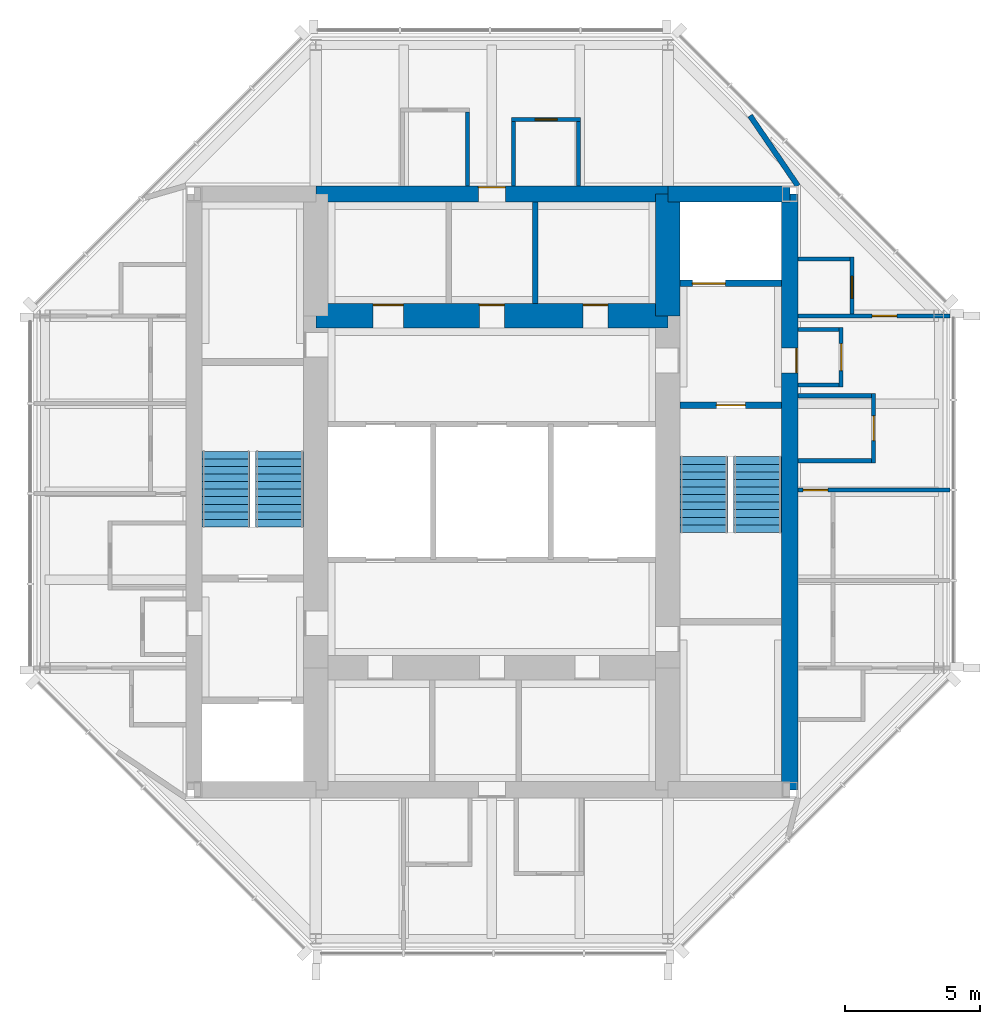
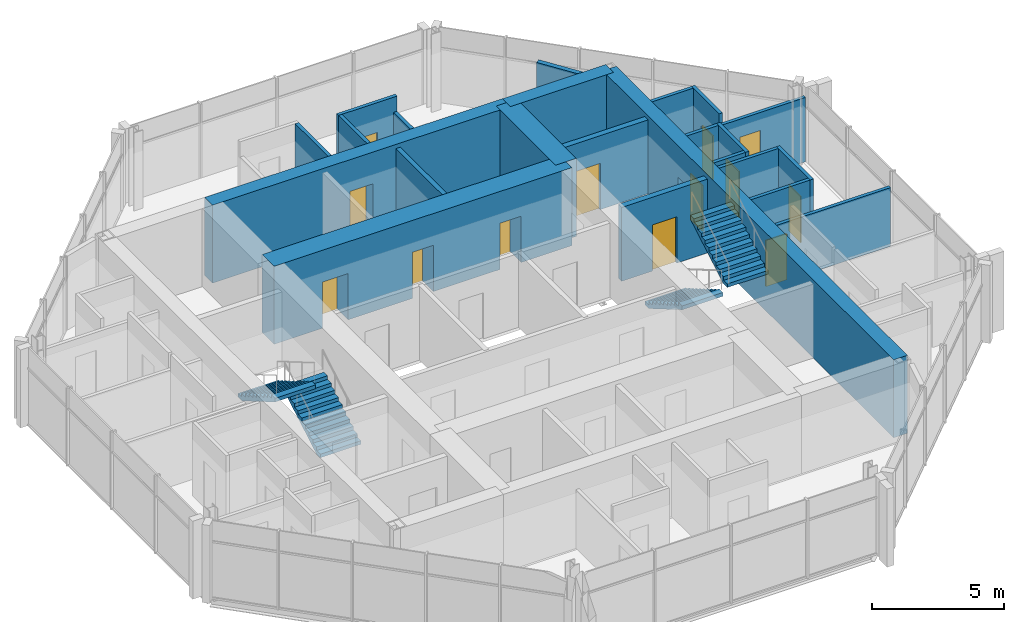
# One storey, part 7 of 9: 23 walls, 13 doors, 4 stair flights, 13 openings, 2 elements without a shape of their own.
"""IFC4 building model written with IfcOpenShell, lengths in metres."""

from ifc_helpers import new_model, si_unit, direction, frame, frame_2d, origin, place, context, subcontext, project, spatial, polyline, rectangle, outline, extrude, material, layer, layer_set, type_object, element, fill, aggregate, save


model = new_model("IFC4")

# Units and contexts
model_context = context("Model", 3, precision=1e-05, world=origin(), true_north=direction((0.0, 1.0)))
body_context = subcontext(model_context, "Body", "Model", "MODEL_VIEW")
ifc_project = project(units=[si_unit("LENGTHUNIT", "METRE"), si_unit("AREAUNIT", "SQUARE_METRE"), si_unit("VOLUMEUNIT", "CUBIC_METRE"), si_unit("PLANEANGLEUNIT", "RADIAN"), si_unit("MASSUNIT", "GRAM", prefix="KILO")], contexts=[model_context])

# Site, building, storey
site_placement = place(None, origin())
site = spatial("IfcSite", under=ifc_project, at=site_placement, CompositionType="ELEMENT")
building_placement = place(site_placement, origin())
building = spatial("IfcBuilding", under=site, at=building_placement, Name="Trevanion Tower", CompositionType="ELEMENT")
storey_placement = place(building_placement, frame((0.0, 0.0, 295.60009765625)))
storey = spatial("IfcBuildingStorey", under=building, at=storey_placement, Name="L73", CompositionType="ELEMENT", Elevation=295.60009765625)

# Wall, opening, door
ifc_material_1 = material(Name="Concrete 10,000 psi", Category="concrete")
ifc_layer_1 = layer(ifc_material_1, 0.60009765625)
ifc_layer_set_1 = layer_set([ifc_layer_1], Name="CW1 core wall 600")
wall_type_1 = type_object("IfcWallType", Name="CW1 core wall 600", PredefinedType="SHEAR", material=ifc_layer_set_1)
wall_1_placement = place(storey_placement, frame((11.0, -11.0, 0.0), z_axis=(0.0, 0.0, 1.0), x_axis=(0.0, 1.0, 0.0)))
wall_1 = element("IfcWall", 1, at=wall_1_placement, inside=storey, type_object=wall_type_1, Name="CW1 CE L73", PredefinedType="SHEAR", context=body_context, shape_type="SweptSolid", body=[
    extrude(rectangle(XDim=22.0, YDim=0.60009765625, at=frame_2d((11.0, 0.0))), origin(), (0.0, 0.0, 1.0), 3.599853515625),
])
opening_1_placement = place(wall_1_placement, frame((15.392578125, 0.0, 0.0)))
opening_1 = element("IfcOpeningElement", 2, at=opening_1_placement, cuts=wall_1, Name="Opening 73-001", PredefinedType="OPENING", context=body_context, shape_type="SweptSolid", body=[
    extrude(rectangle(XDim=0.9150390625, YDim=2.134033203125, at=frame_2d((0.45751953125, 1.06689453125))), frame((0.0, 0.31005859375, 0.0), z_axis=(0.0, -1.0, 0.0), x_axis=(1.0, 0.0, 0.0)), (0.0, 0.0, 1.0), 0.6201171875),
])
ifc_material_2 = material(Name="Hollow metal, fire rated", Category="steel")
door_type_1 = type_object("IfcDoorType", Name="D3 fire lift lobby door", OperationType="SINGLE_SWING_RIGHT", PredefinedType="DOOR", material=ifc_material_2)
door_1_placement = place(opening_1_placement, origin())
door_1 = element("IfcDoor", 3, at=door_1_placement, inside=storey, type_object=door_type_1, Name="Door 73-001", OperationType="SINGLE_SWING_RIGHT", OverallHeight=2.134033203125, OverallWidth=0.9150390625, PredefinedType="DOOR", context=body_context, shape_type="SweptSolid", body=[
    extrude(rectangle(XDim=0.9150390625, YDim=2.134033203125, at=frame_2d((0.45751953125, 1.06689453125))), frame((0.0, -0.22509765625, 0.0), z_axis=(0.0, -1.0, 0.0), x_axis=(1.0, 0.0, 0.0)), (0.0, 0.0, 1.0), 0.050048828125),
])
fill(opening_1, door_1)

# Wall
wall_2_placement = place(storey_placement, frame((11.0, 11.0, 0.0), z_axis=(0.0, 0.0, 1.0), x_axis=(-1.0, 0.0, 0.0)))
element("IfcWall", 4, at=wall_2_placement, inside=storey, type_object=wall_type_1, Name="CW1 CN1 L73", PredefinedType="SHEAR", context=body_context, shape_type="SweptSolid", body=[
    extrude(rectangle(XDim=4.5, YDim=0.60009765625, at=frame_2d((2.25, 0.0))), origin(), (0.0, 0.0, 1.0), 3.599853515625),
])

# Wall, opening, door
wall_3_placement = place(storey_placement, frame((6.5, 11.0, 0.0), z_axis=(0.0, 0.0, 1.0), x_axis=(-1.0, 0.0, 0.0)))
wall_3 = element("IfcWall", 5, at=wall_3_placement, inside=storey, type_object=wall_type_1, Name="CW1 CN2 L73", PredefinedType="SHEAR", context=body_context, shape_type="SweptSolid", body=[
    extrude(rectangle(XDim=13.0, YDim=0.60009765625, at=frame_2d((6.5, 0.0))), origin(), (0.0, 0.0, 1.0), 3.599853515625),
])
opening_2_placement = place(wall_3_placement, frame((6.0, 0.0, 0.0)))
opening_2 = element("IfcOpeningElement", 6, at=opening_2_placement, cuts=wall_3, Name="Opening 73-018", PredefinedType="OPENING", context=body_context, shape_type="SweptSolid", body=[
    extrude(rectangle(XDim=1.0, YDim=2.134033203125, at=frame_2d((0.5, 1.06689453125))), frame((0.0, 0.31005859375, 0.0), z_axis=(0.0, -1.0, 0.0), x_axis=(1.0, 0.0, 0.0)), (0.0, 0.0, 1.0), 0.6201171875),
])
ifc_material_3 = material(Name="Timber veneer on steel frame, fire rated", Category="steel")
door_type_2 = type_object("IfcDoorType", Name="D13 residence entrance door", OperationType="SINGLE_SWING_RIGHT", PredefinedType="DOOR", material=ifc_material_3)
door_2_placement = place(opening_2_placement, origin())
door_2 = element("IfcDoor", 7, at=door_2_placement, inside=storey, type_object=door_type_2, Name="Door 73-018", OperationType="SINGLE_SWING_RIGHT", OverallHeight=2.134033203125, OverallWidth=1.0, PredefinedType="DOOR", context=body_context, shape_type="SweptSolid", body=[
    extrude(rectangle(XDim=1.0, YDim=2.134033203125, at=frame_2d((0.5, 1.06689453125))), frame((0.0, -0.22509765625, 0.0), z_axis=(0.0, -1.0, 0.0), x_axis=(1.0, 0.0, 0.0)), (0.0, 0.0, 1.0), 0.050048828125),
])
fill(opening_2, door_2)

# Wall
ifc_material_4 = material(Name="Concrete 10,000 psi", Category="concrete")
ifc_layer_2 = layer(ifc_material_4, 0.89990234375)
ifc_layer_set_2 = layer_set([ifc_layer_2], Name="CW2 core wall 900")
wall_type_2 = type_object("IfcWallType", Name="CW2 core wall 900", PredefinedType="SHEAR", material=ifc_layer_set_2)
wall_4_placement = place(storey_placement, frame((6.5, 6.5, 0.0), z_axis=(0.0, 0.0, 1.0), x_axis=(0.0, 1.0, 0.0)))
element("IfcWall", 8, at=wall_4_placement, inside=storey, type_object=wall_type_2, Name="CW2 RE3 L73", PredefinedType="SHEAR", context=body_context, shape_type="SweptSolid", body=[
    extrude(rectangle(XDim=4.5, YDim=0.89990234375, at=frame_2d((2.25, 0.0))), origin(), (0.0, 0.0, 1.0), 3.599853515625),
])

# Wall, openings, doors
wall_5_placement = place(storey_placement, frame((6.5, 6.5, 0.0), z_axis=(0.0, 0.0, 1.0), x_axis=(-1.0, 0.0, 0.0)))
wall_5 = element("IfcWall", 9, at=wall_5_placement, inside=storey, type_object=wall_type_2, Name="CW2 RN L73", PredefinedType="SHEAR", context=body_context, shape_type="SweptSolid", body=[
    extrude(rectangle(XDim=13.0, YDim=0.89990234375, at=frame_2d((6.5, 0.0))), origin(), (0.0, 0.0, 1.0), 3.599853515625),
])
opening_3_placement = place(wall_5_placement, frame((6.04248046875, 0.0, 0.0)))
opening_3 = element("IfcOpeningElement", 10, at=opening_3_placement, cuts=wall_5, Name="Opening 73-017", PredefinedType="OPENING", context=body_context, shape_type="SweptSolid", body=[
    extrude(rectangle(XDim=0.9150390625, YDim=2.134033203125, at=frame_2d((0.45751953125, 1.06689453125))), frame((0.0, 0.4599609375, 0.0), z_axis=(0.0, -1.0, 0.0), x_axis=(1.0, 0.0, 0.0)), (0.0, 0.0, 1.0), 0.919921875),
])
opening_4_placement = place(wall_5_placement, frame((9.76611328125, 0.0, 0.0)))
opening_4 = element("IfcOpeningElement", 11, at=opening_4_placement, cuts=wall_5, Name="Opening 73-019", PredefinedType="OPENING", context=body_context, shape_type="SweptSolid", body=[
    extrude(rectangle(XDim=1.117919921875, YDim=2.134033203125, at=frame_2d((0.55908203125, 1.06689453125))), frame((0.0, 0.4599609375, 0.0), z_axis=(0.0, -1.0, 0.0), x_axis=(1.0, 0.0, 0.0)), (0.0, 0.0, 1.0), 0.919921875),
])
opening_5_placement = place(wall_5_placement, frame((2.217529296875, 0.0, 0.0)))
opening_5 = element("IfcOpeningElement", 12, at=opening_5_placement, cuts=wall_5, Name="Opening 73-020", PredefinedType="OPENING", context=body_context, shape_type="SweptSolid", body=[
    extrude(rectangle(XDim=0.9150390625, YDim=2.134033203125, at=frame_2d((0.45751953125, 1.06689453125))), frame((0.0, 0.4599609375, 0.0), z_axis=(0.0, -1.0, 0.0), x_axis=(1.0, 0.0, 0.0)), (0.0, 0.0, 1.0), 0.919921875),
])
ifc_material_5 = material(Name="Hollow metal, fire rated", Category="steel")
door_type_3 = type_object("IfcDoorType", Name="D16 refuse room door", OperationType="SINGLE_SWING_RIGHT", PredefinedType="DOOR", material=ifc_material_5)
door_3_placement = place(opening_4_placement, origin())
door_3 = element("IfcDoor", 13, at=door_3_placement, inside=storey, type_object=door_type_3, Name="Door 73-019", OperationType="SINGLE_SWING_RIGHT", OverallHeight=2.134033203125, OverallWidth=1.117919921875, PredefinedType="DOOR", context=body_context, shape_type="SweptSolid", body=[
    extrude(rectangle(XDim=1.117919921875, YDim=2.134033203125, at=frame_2d((0.55908203125, 1.06689453125))), frame((0.0, -0.375, 0.0), z_axis=(0.0, -1.0, 0.0), x_axis=(1.0, 0.0, 0.0)), (0.0, 0.0, 1.0), 0.050048828125),
])
fill(opening_4, door_3)
door_4_placement = place(opening_3_placement, origin())
door_4 = element("IfcDoor", 14, at=door_4_placement, inside=storey, type_object=door_type_1, Name="Door 73-017", OperationType="SINGLE_SWING_RIGHT", OverallHeight=2.134033203125, OverallWidth=0.9150390625, PredefinedType="DOOR", context=body_context, shape_type="SweptSolid", body=[
    extrude(rectangle(XDim=0.9150390625, YDim=2.134033203125, at=frame_2d((0.45751953125, 1.06689453125))), frame((0.0, -0.375, 0.0), z_axis=(0.0, -1.0, 0.0), x_axis=(1.0, 0.0, 0.0)), (0.0, 0.0, 1.0), 0.050048828125),
])
fill(opening_3, door_4)
ifc_material_6 = material(Name="Hollow metal, fire rated", Category="steel")
door_type_4 = type_object("IfcDoorType", Name="D5 service room door", OperationType="SINGLE_SWING_RIGHT", PredefinedType="DOOR", material=ifc_material_6)
door_5_placement = place(opening_5_placement, origin())
door_5 = element("IfcDoor", 15, at=door_5_placement, inside=storey, type_object=door_type_4, Name="Door 73-020", OperationType="SINGLE_SWING_RIGHT", OverallHeight=2.134033203125, OverallWidth=0.9150390625, PredefinedType="DOOR", context=body_context, shape_type="SweptSolid", body=[
    extrude(rectangle(XDim=0.9150390625, YDim=2.134033203125, at=frame_2d((0.45751953125, 1.06689453125))), frame((0.0, -0.375, 0.0), z_axis=(0.0, -1.0, 0.0), x_axis=(1.0, 0.0, 0.0)), (0.0, 0.0, 1.0), 0.050048828125),
])
fill(opening_5, door_5)

# Wall, opening, door
ifc_material_7 = material(Name="Gypsum board on steel studs", Category="steel")
ifc_layer_3 = layer(ifc_material_7, 0.14990234375)
ifc_layer_set_3 = layer_set([ifc_layer_3], Name="PT1 partition 150")
wall_type_3 = type_object("IfcWallType", Name="PT1 partition 150", PredefinedType="PARTITIONING", material=ifc_layer_set_3)
wall_6_placement = place(storey_placement, frame((11.300048828125, 0.06494140625, 0.0), z_axis=(0.0, 0.0, 1.0), x_axis=(1.0, 0.0, 0.0)))
wall_6 = element("IfcWall", 16, at=wall_6_placement, inside=storey, type_object=wall_type_3, Name="PT1 L73 REC2", PredefinedType="PARTITIONING", context=body_context, shape_type="SweptSolid", body=[
    extrude(rectangle(XDim=5.614990234375, YDim=0.14990234375, at=frame_2d((2.8076171875, 0.0))), origin(), (0.0, 0.0, 1.0), 2.708984375),
])
opening_6_placement = place(wall_6_placement, frame((0.1923828125, 0.0, 0.0)))
opening_6 = element("IfcOpeningElement", 17, at=opening_6_placement, cuts=wall_6, Name="Opening 73-030", PredefinedType="OPENING", context=body_context, shape_type="SweptSolid", body=[
    extrude(rectangle(XDim=0.9150390625, YDim=2.134033203125, at=frame_2d((0.45751953125, 1.06689453125))), frame((0.0, 0.0849609375, 0.0), z_axis=(0.0, -1.0, 0.0), x_axis=(1.0, 0.0, 0.0)), (0.0, 0.0, 1.0), 0.169921875),
])
ifc_material_8 = material(Name="Timber veneer, solid core", Category="wood")
door_type_5 = type_object("IfcDoorType", Name="D1 office and meeting room door", OperationType="SINGLE_SWING_LEFT", PredefinedType="DOOR", material=ifc_material_8)
door_6_placement = place(opening_6_placement, origin())
door_6 = element("IfcDoor", 18, at=door_6_placement, inside=storey, type_object=door_type_5, Name="Door 73-030", OperationType="SINGLE_SWING_LEFT", OverallHeight=2.134033203125, OverallWidth=0.9150390625, PredefinedType="DOOR", context=body_context, shape_type="SweptSolid", body=[
    extrude(rectangle(XDim=0.9150390625, YDim=2.134033203125, at=frame_2d((0.45751953125, 1.06689453125))), frame((0.0, 0.02490234375, 0.0), z_axis=(0.0, -1.0, 0.0), x_axis=(1.0, 0.0, 0.0)), (0.0, 0.0, 1.0), 0.050048828125),
])
fill(opening_6, door_6)

wall_7_placement = place(storey_placement, frame((11.300048828125, 6.5, 0.0), z_axis=(0.0, 0.0, 1.0), x_axis=(1.0, 0.0, 0.0)))
wall_7 = element("IfcWall", 19, at=wall_7_placement, inside=storey, type_object=wall_type_3, Name="PT1 L73 REC3", PredefinedType="PARTITIONING", context=body_context, shape_type="SweptSolid", body=[
    extrude(rectangle(XDim=5.614990234375, YDim=0.14990234375, at=frame_2d((2.8076171875, 0.0))), origin(), (0.0, 0.0, 1.0), 2.965576171875),
])
opening_7_placement = place(wall_7_placement, frame((2.742431640625, 0.0, 0.0)))
opening_7 = element("IfcOpeningElement", 20, at=opening_7_placement, cuts=wall_7, Name="Opening 73-033", PredefinedType="OPENING", context=body_context, shape_type="SweptSolid", body=[
    extrude(rectangle(XDim=0.9150390625, YDim=2.134033203125, at=frame_2d((0.45751953125, 1.06689453125))), frame((0.0, 0.0849609375, 0.0), z_axis=(0.0, -1.0, 0.0), x_axis=(1.0, 0.0, 0.0)), (0.0, 0.0, 1.0), 0.169921875),
])
door_7_placement = place(opening_7_placement, origin())
door_7 = element("IfcDoor", 21, at=door_7_placement, inside=storey, type_object=door_type_5, Name="Door 73-033", OperationType="SINGLE_SWING_LEFT", OverallHeight=2.134033203125, OverallWidth=0.9150390625, PredefinedType="DOOR", context=body_context, shape_type="SweptSolid", body=[
    extrude(rectangle(XDim=0.9150390625, YDim=2.134033203125, at=frame_2d((0.45751953125, 1.06689453125))), frame((0.0, 0.02490234375, 0.0), z_axis=(0.0, -1.0, 0.0), x_axis=(1.0, 0.0, 0.0)), (0.0, 0.0, 1.0), 0.050048828125),
])
fill(opening_7, door_7)

# Walls
for number, where, z_axis, x_axis, name in (
    (22, (11.300048828125, 3.949951171875, 0.0), (0.0, 0.0, 1.0), (1.0, 0.0, 0.0), "PT1 L73 REEA"),
    (23, (11.300048828125, 6.0, 0.0), (0.0, 0.0, 1.0), (1.0, 0.0, 0.0), "PT1 L73 REEB"),
):
    element("IfcWall", number, at=place(storey_placement, frame(where, z_axis=z_axis, x_axis=x_axis)), inside=storey, type_object=wall_type_3, Name=name, PredefinedType="PARTITIONING", context=body_context, shape_type="SweptSolid", body=[
        extrude(rectangle(XDim=1.52490234375, YDim=0.14990234375, at=frame_2d((0.762451171875, 0.0))), origin(), (0.0, 0.0, 1.0), 3.409912109375),
    ])

# Wall, opening, door
wall_8_placement = place(storey_placement, frame((14.10009765625, 1.074951171875, 0.0), z_axis=(0.0, 0.0, 1.0), x_axis=(0.0, 1.0, 0.0)))
wall_8 = element("IfcWall", 24, at=wall_8_placement, inside=storey, type_object=wall_type_3, Name="PT1 L73 REKF", PredefinedType="PARTITIONING", context=body_context, shape_type="SweptSolid", body=[
    extrude(rectangle(XDim=2.550048828125, YDim=0.14990234375, at=frame_2d((1.27490234375, 0.0))), origin(), (0.0, 0.0, 1.0), 3.409912109375),
])
opening_8_placement = place(wall_8_placement, frame((0.8173828125, 0.0, 0.0)))
opening_8 = element("IfcOpeningElement", 25, at=opening_8_placement, cuts=wall_8, Name="Opening 73-026", PredefinedType="OPENING", context=body_context, shape_type="SweptSolid", body=[
    extrude(rectangle(XDim=0.9150390625, YDim=2.134033203125, at=frame_2d((0.45751953125, 1.06689453125))), frame((0.0, 0.0849609375, 0.0), z_axis=(0.0, -1.0, 0.0), x_axis=(1.0, 0.0, 0.0)), (0.0, 0.0, 1.0), 0.169921875),
])
door_8_placement = place(opening_8_placement, origin())
door_8 = element("IfcDoor", 26, at=door_8_placement, inside=storey, type_object=door_type_5, Name="Door 73-026", OperationType="SINGLE_SWING_LEFT", OverallHeight=2.134033203125, OverallWidth=0.9150390625, PredefinedType="DOOR", context=body_context, shape_type="SweptSolid", body=[
    extrude(rectangle(XDim=0.9150390625, YDim=2.134033203125, at=frame_2d((0.45751953125, 1.06689453125))), frame((0.0, 0.02490234375, 0.0), z_axis=(0.0, -1.0, 0.0), x_axis=(1.0, 0.0, 0.0)), (0.0, 0.0, 1.0), 0.050048828125),
])
fill(opening_8, door_8)

# Walls
for number, where, z_axis, x_axis, name in (
    (27, (11.300048828125, 1.14990234375, 0.0), (0.0, 0.0, 1.0), (1.0, 0.0, 0.0), "PT1 L73 REKA"),
    (28, (11.300048828125, 3.550048828125, 0.0), (0.0, 0.0, 1.0), (1.0, 0.0, 0.0), "PT1 L73 REKB"),
):
    element("IfcWall", number, at=place(storey_placement, frame(where, z_axis=z_axis, x_axis=x_axis)), inside=storey, type_object=wall_type_3, Name=name, PredefinedType="PARTITIONING", context=body_context, shape_type="SweptSolid", body=[
        extrude(rectangle(XDim=2.724853515625, YDim=0.14990234375, at=frame_2d((1.3623046875, 0.0))), origin(), (0.0, 0.0, 1.0), 3.409912109375),
    ])

# Wall, opening, door
wall_9_placement = place(storey_placement, frame((13.300048828125, 6.574951171875, 0.0), z_axis=(0.0, 0.0, 1.0), x_axis=(0.0, 1.0, 0.0)))
wall_9 = element("IfcWall", 29, at=wall_9_placement, inside=storey, type_object=wall_type_3, Name="PT1 L73 REWF", PredefinedType="PARTITIONING", context=body_context, shape_type="SweptSolid", body=[
    extrude(rectangle(XDim=2.10009765625, YDim=0.14990234375, at=frame_2d((1.050048828125, 0.0))), origin(), (0.0, 0.0, 1.0), 3.409912109375),
])
opening_9_placement = place(wall_9_placement, frame((0.568603515625, 0.0, 0.0)))
opening_9 = element("IfcOpeningElement", 30, at=opening_9_placement, cuts=wall_9, Name="Opening 73-027", PredefinedType="OPENING", context=body_context, shape_type="SweptSolid", body=[
    extrude(rectangle(XDim=0.81298828125, YDim=2.031982421875, at=frame_2d((0.406494140625, 1.01611328125))), frame((0.0, 0.0849609375, 0.0), z_axis=(0.0, -1.0, 0.0), x_axis=(1.0, 0.0, 0.0)), (0.0, 0.0, 1.0), 0.169921875),
])
ifc_material_9 = material(Name="Timber veneer", Category="wood")
door_type_6 = type_object("IfcDoorType", Name="D14 residence bathroom door", OperationType="SINGLE_SWING_LEFT", PredefinedType="DOOR", material=ifc_material_9)
door_9_placement = place(opening_9_placement, origin())
door_9 = element("IfcDoor", 31, at=door_9_placement, inside=storey, type_object=door_type_6, Name="Door 73-027", OperationType="SINGLE_SWING_LEFT", OverallHeight=2.031982421875, OverallWidth=0.81298828125, PredefinedType="DOOR", context=body_context, shape_type="SweptSolid", body=[
    extrude(rectangle(XDim=0.81298828125, YDim=2.031982421875, at=frame_2d((0.406494140625, 1.01611328125))), frame((0.0, 0.02490234375, 0.0), z_axis=(0.0, -1.0, 0.0), x_axis=(1.0, 0.0, 0.0)), (0.0, 0.0, 1.0), 0.050048828125),
])
fill(opening_9, door_9)

# Walls
wall_10_placement = place(storey_placement, frame((11.300048828125, 8.60009765625, 0.0), z_axis=(0.0, 0.0, 1.0), x_axis=(1.0, 0.0, 0.0)))
element("IfcWall", 32, at=wall_10_placement, inside=storey, type_object=wall_type_3, Name="PT1 L73 REWB", PredefinedType="PARTITIONING", context=body_context, shape_type="SweptSolid", body=[
    extrude(rectangle(XDim=1.925048828125, YDim=0.14990234375, at=frame_2d((0.96240234375, 0.0))), origin(), (0.0, 0.0, 1.0), 3.409912109375),
])
wall_11_placement = place(storey_placement, frame((-0.89990234375, 11.300048828125, 0.0), z_axis=(0.0, 0.0, 1.0), x_axis=(0.0, 1.0, 0.0)))
element("IfcWall", 33, at=wall_11_placement, inside=storey, type_object=wall_type_3, Name="PT1 L73 RNKA", PredefinedType="PARTITIONING", context=body_context, shape_type="SweptSolid", body=[
    extrude(rectangle(XDim=2.724853515625, YDim=0.14990234375, at=frame_2d((1.3623046875, 0.0))), origin(), (0.0, 0.0, 1.0), 3.409912109375),
])

# Wall, opening, door
wall_12_placement = place(storey_placement, frame((3.27490234375, 13.75, 0.0), z_axis=(0.0, 0.0, 1.0), x_axis=(-1.0, 0.0, 0.0)))
wall_12 = element("IfcWall", 34, at=wall_12_placement, inside=storey, type_object=wall_type_3, Name="PT1 L73 RNTF", PredefinedType="PARTITIONING", context=body_context, shape_type="SweptSolid", body=[
    extrude(rectangle(XDim=2.5498046875, YDim=0.14990234375, at=frame_2d((1.27490234375, 0.0))), origin(), (0.0, 0.0, 1.0), 3.409912109375),
])
opening_10_placement = place(wall_12_placement, frame((0.868408203125, 0.0, 0.0)))
opening_10 = element("IfcOpeningElement", 35, at=opening_10_placement, cuts=wall_12, Name="Opening 73-035", PredefinedType="OPENING", context=body_context, shape_type="SweptSolid", body=[
    extrude(rectangle(XDim=0.81298828125, YDim=2.031982421875, at=frame_2d((0.406494140625, 1.01611328125))), frame((0.0, 0.0849609375, 0.0), z_axis=(0.0, -1.0, 0.0), x_axis=(1.0, 0.0, 0.0)), (0.0, 0.0, 1.0), 0.169921875),
])
door_10_placement = place(opening_10_placement, origin())
door_10 = element("IfcDoor", 36, at=door_10_placement, inside=storey, type_object=door_type_6, Name="Door 73-035", OperationType="SINGLE_SWING_LEFT", OverallHeight=2.031982421875, OverallWidth=0.81298828125, PredefinedType="DOOR", context=body_context, shape_type="SweptSolid", body=[
    extrude(rectangle(XDim=0.81298828125, YDim=2.031982421875, at=frame_2d((0.406494140625, 1.01611328125))), frame((0.0, 0.02490234375, 0.0), z_axis=(0.0, -1.0, 0.0), x_axis=(1.0, 0.0, 0.0)), (0.0, 0.0, 1.0), 0.050048828125),
])
fill(opening_10, door_10)

# Walls
wall_13_placement = place(storey_placement, frame((3.199951171875, 11.300048828125, 0.0), z_axis=(0.0, 0.0, 1.0), x_axis=(0.0, 1.0, 0.0)))
element("IfcWall", 37, at=wall_13_placement, inside=storey, type_object=wall_type_3, Name="PT1 L73 RNTA", PredefinedType="PARTITIONING", context=body_context, shape_type="SweptSolid", body=[
    extrude(rectangle(XDim=2.375, YDim=0.14990234375, at=frame_2d((1.1875, 0.0))), origin(), (0.0, 0.0, 1.0), 2.708984375),
])
wall_14_placement = place(storey_placement, frame((0.800048828125, 11.300048828125, 0.0), z_axis=(0.0, 0.0, 1.0), x_axis=(0.0, 1.0, 0.0)))
element("IfcWall", 38, at=wall_14_placement, inside=storey, type_object=wall_type_3, Name="PT1 L73 RNTB", PredefinedType="PARTITIONING", context=body_context, shape_type="SweptSolid", body=[
    extrude(rectangle(XDim=2.375, YDim=0.14990234375, at=frame_2d((1.1875, 0.0))), origin(), (0.0, 0.0, 1.0), 3.409912109375),
])

# Wall, opening, door
ifc_material_10 = material(Name="Gypsum board on steel studs", Category="steel")
ifc_layer_4 = layer(ifc_material_10, 0.14990234375)
ifc_layer_set_4 = layer_set([ifc_layer_4], Name="PT1 partition 150 1 HR")
wall_type_4 = type_object("IfcWallType", Name="PT1 partition 150 1 HR", PredefinedType="PARTITIONING", material=ifc_layer_set_4)
wall_15_placement = place(storey_placement, frame((12.89990234375, 3.875, 0.0), z_axis=(0.0, 0.0, 1.0), x_axis=(0.0, 1.0, 0.0)))
wall_15 = element("IfcWall", 39, at=wall_15_placement, inside=storey, type_object=wall_type_4, Name="PT1 L73 REEF", PredefinedType="PARTITIONING", context=body_context, shape_type="SweptSolid", body=[
    extrude(rectangle(XDim=2.199951171875, YDim=0.14990234375, at=frame_2d((1.10009765625, 0.0))), origin(), (0.0, 0.0, 1.0), 3.409912109375),
])
opening_11_placement = place(wall_15_placement, frame((0.60009765625, 0.0, 0.0)))
opening_11 = element("IfcOpeningElement", 40, at=opening_11_placement, cuts=wall_15, Name="Opening 73-025", PredefinedType="OPENING", context=body_context, shape_type="SweptSolid", body=[
    extrude(rectangle(XDim=1.0, YDim=2.134033203125, at=frame_2d((0.5, 1.06689453125))), frame((0.0, 0.0849609375, 0.0), z_axis=(0.0, -1.0, 0.0), x_axis=(1.0, 0.0, 0.0)), (0.0, 0.0, 1.0), 0.169921875),
])
door_11_placement = place(opening_11_placement, origin())
door_11 = element("IfcDoor", 41, at=door_11_placement, inside=storey, type_object=door_type_2, Name="Door 73-025", OperationType="SINGLE_SWING_RIGHT", OverallHeight=2.134033203125, OverallWidth=1.0, PredefinedType="DOOR", context=body_context, shape_type="SweptSolid", body=[
    extrude(rectangle(XDim=1.0, YDim=2.134033203125, at=frame_2d((0.5, 1.06689453125))), frame((0.0, 0.02490234375, 0.0), z_axis=(0.0, -1.0, 0.0), x_axis=(1.0, 0.0, 0.0)), (0.0, 0.0, 1.0), 0.050048828125),
])
fill(opening_11, door_11)

# Walls
ifc_material_11 = material(Name="Concrete masonry, grouted", Category="masonry")
ifc_layer_5 = layer(ifc_material_11, 0.199951171875)
ifc_layer_set_5 = layer_set([ifc_layer_5], Name="PT2 partition 200 1 HR")
wall_type_5 = type_object("IfcWallType", Name="PT2 partition 200 1 HR", PredefinedType="PARTITIONING", material=ifc_layer_set_5)
wall_16_placement = place(storey_placement, frame((1.60009765625, 6.949951171875, 0.0), z_axis=(0.0, 0.0, 1.0), x_axis=(0.0, 1.0, 0.0)))
element("IfcWall", 42, at=wall_16_placement, inside=storey, type_object=wall_type_5, Name="PT2 L73 CNP2", PredefinedType="PARTITIONING", context=body_context, shape_type="SweptSolid", body=[
    extrude(rectangle(XDim=3.75, YDim=0.199951171875, at=frame_2d((1.875, 0.0))), origin(), (0.0, 0.0, 1.0), 3.409912109375),
])
wall_17_placement = place(storey_placement, frame((11.300048828125, 11.300048828125, 0.0), z_axis=(0.0, 0.0, 1.0), x_axis=(-0.563469639691, 0.826136771453, 0.0)))
element("IfcWall", 43, at=wall_17_placement, inside=storey, type_object=wall_type_5, Name="PT2 L73 UB0", PredefinedType="PARTITIONING", context=body_context, shape_type="SweptSolid", body=[
    extrude(rectangle(XDim=3.136962890625, YDim=0.199951171875, at=frame_2d((1.568359375, 0.0))), origin(), (0.0, 0.0, 1.0), 2.70361328125),
])

# Wall, opening, door
ifc_material_12 = material(Name="Concrete masonry, grouted, two-hour", Category="masonry")
ifc_layer_6 = layer(ifc_material_12, 0.25)
ifc_layer_set_6 = layer_set([ifc_layer_6], Name="PT3 partition 250 2 HR")
wall_type_6 = type_object("IfcWallType", Name="PT3 partition 250 2 HR", PredefinedType="PARTITIONING", material=ifc_layer_set_6)
wall_18_placement = place(storey_placement, frame((6.949951171875, 7.699951171875, 0.0), z_axis=(0.0, 0.0, 1.0), x_axis=(1.0, 0.0, 0.0)))
wall_18 = element("IfcWall", 44, at=wall_18_placement, inside=storey, type_object=wall_type_6, Name="PT3 L73 EP3", PredefinedType="PARTITIONING", context=body_context, shape_type="SweptSolid", body=[
    extrude(rectangle(XDim=3.75, YDim=0.25, at=frame_2d((1.875, 0.0))), origin(), (0.0, 0.0, 1.0), 3.409912109375),
])
opening_12_placement = place(wall_18_placement, frame((0.449951171875, 0.0, 0.0)))
opening_12 = element("IfcOpeningElement", 45, at=opening_12_placement, cuts=wall_18, Name="Opening 73-007", PredefinedType="OPENING", context=body_context, shape_type="SweptSolid", body=[
    extrude(rectangle(XDim=1.218994140625, YDim=2.134033203125, at=frame_2d((0.609375, 1.06689453125))), frame((0.0, 0.135009765625, 0.0), z_axis=(0.0, -1.0, 0.0), x_axis=(1.0, 0.0, 0.0)), (0.0, 0.0, 1.0), 0.27001953125),
])
ifc_material_13 = material(Name="Stainless steel, fire rated", Category="steel")
door_type_7 = type_object("IfcDoorType", Name="LD2 fire service lift landing door", OperationType="SLIDING_TO_LEFT", PredefinedType="DOOR", material=ifc_material_13)
door_12_placement = place(opening_12_placement, origin())
door_12 = element("IfcDoor", 46, at=door_12_placement, inside=storey, type_object=door_type_7, Name="Door 73-007", OperationType="SLIDING_TO_LEFT", OverallHeight=2.134033203125, OverallWidth=1.218994140625, PredefinedType="DOOR", context=body_context, shape_type="SweptSolid", body=[
    extrude(rectangle(XDim=1.218994140625, YDim=2.134033203125, at=frame_2d((0.609375, 1.06689453125))), frame((0.0, 0.02490234375, 0.0), z_axis=(0.0, -1.0, 0.0), x_axis=(1.0, 0.0, 0.0)), (0.0, 0.0, 1.0), 0.050048828125),
])
fill(opening_12, door_12)

ifc_material_14 = material(Name="Reinforced masonry, fully grouted", Category="masonry")
ifc_layer_7 = layer(ifc_material_14, 0.25)
ifc_layer_set_7 = layer_set([ifc_layer_7], Name="SW1 stair shaft wall 250")
wall_type_7 = type_object("IfcWallType", Name="SW1 stair shaft wall 250", PredefinedType="SOLIDWALL", material=ifc_layer_set_7)
wall_19_placement = place(storey_placement, frame((6.949951171875, 3.199951171875, 0.0), z_axis=(0.0, 0.0, 1.0), x_axis=(1.0, 0.0, 0.0)))
wall_19 = element("IfcWall", 47, at=wall_19_placement, inside=storey, type_object=wall_type_7, Name="SW1 L73 EP2", PredefinedType="SOLIDWALL", context=body_context, shape_type="SweptSolid", body=[
    extrude(rectangle(XDim=3.75, YDim=0.25, at=frame_2d((1.875, 0.0))), origin(), (0.0, 0.0, 1.0), 3.409912109375),
])
opening_13_placement = place(wall_19_placement, frame((1.341552734375, 0.0, 0.0)))
opening_13 = element("IfcOpeningElement", 48, at=opening_13_placement, cuts=wall_19, Name="Opening 73-005", PredefinedType="OPENING", context=body_context, shape_type="SweptSolid", body=[
    extrude(rectangle(XDim=1.06689453125, YDim=2.134033203125, at=frame_2d((0.533447265625, 1.06689453125))), frame((0.0, 0.135009765625, 0.0), z_axis=(0.0, -1.0, 0.0), x_axis=(1.0, 0.0, 0.0)), (0.0, 0.0, 1.0), 0.27001953125),
])
ifc_material_15 = material(Name="Hollow metal, fire rated", Category="steel")
door_type_8 = type_object("IfcDoorType", Name="D2 exit stair door", OperationType="SINGLE_SWING_LEFT", PredefinedType="DOOR", material=ifc_material_15)
door_13_placement = place(opening_13_placement, origin())
door_13 = element("IfcDoor", 49, at=door_13_placement, inside=storey, type_object=door_type_8, Name="Door 73-005", OperationType="SINGLE_SWING_LEFT", OverallHeight=2.134033203125, OverallWidth=1.06689453125, PredefinedType="DOOR", context=body_context, shape_type="SweptSolid", body=[
    extrude(rectangle(XDim=1.06689453125, YDim=2.134033203125, at=frame_2d((0.533447265625, 1.06689453125))), frame((0.0, 0.02490234375, 0.0), z_axis=(0.0, -1.0, 0.0), x_axis=(1.0, 0.0, 0.0)), (0.0, 0.0, 1.0), 0.050048828125),
])
fill(opening_13, door_13)

# Stair, stair flights
ifc_material_16 = material(Name="Concrete 5,000 psi on steel stringers", Category="concrete")
stair_type = type_object("IfcStairType", Name="ST stair", PredefinedType="HALF_TURN_STAIR", material=ifc_material_16)
stair_1_placement = place(storey_placement, origin())
stair_1 = element("IfcStair", 50, at=stair_1_placement, inside=storey, type_object=stair_type, Name="ST1 L73", PredefinedType="HALF_TURN_STAIR")
ifc_material_17 = material(Name="Concrete 5,000 psi in steel pan", Category="concrete")
stair_flight_type = type_object("IfcStairFlightType", Name="STF stair flight", PredefinedType="STRAIGHT", material=ifc_material_17)
stair_flight_1_placement = place(storey_placement, frame((7.83740234375, 1.300048828125, 0.0), z_axis=(0.0, 0.0, 1.0), x_axis=(0.0, -1.0, 0.0)))
stair_flight_1 = element("IfcStairFlight", 51, at=stair_flight_1_placement, type_object=stair_flight_type, Name="ST1 flight 1", NumberOfRisers=11, NumberOfTreads=10, PredefinedType="STRAIGHT", RiserHeight=0.163636364, TreadLength=0.28, context=body_context, shape_type="SweptSolid", body=[
    extrude(outline(polyline([(0.0, 0.0), (0.0, 0.16357421875), (0.280029296875, 0.16357421875), (0.280029296875, 0.327392578125), (0.56005859375, 0.327392578125), (0.56005859375, 0.490966796875), (0.840087890625, 0.490966796875), (0.840087890625, 0.654541015625), (1.1201171875, 0.654541015625), (1.1201171875, 0.818115234375), (1.39990234375, 0.818115234375), (1.39990234375, 0.98193359375), (1.679931640625, 0.98193359375), (1.679931640625, 1.1455078125), (1.9599609375, 1.1455078125), (1.9599609375, 1.30908203125), (2.239990234375, 1.30908203125), (2.239990234375, 1.47265625), (2.52001953125, 1.47265625), (2.52001953125, 1.636474609375), (2.800048828125, 1.636474609375), (2.800048828125, 1.800048828125), (2.800048828125, 1.462646484375), (0.297119140625, 0.0), (0.0, 0.0)])), frame((0.0, 0.887451171875, 0.0), z_axis=(0.0, -1.0, 0.0), x_axis=(1.0, 0.0, 0.0)), (0.0, 0.0, 1.0), 1.77490234375),
])
stair_flight_2_placement = place(storey_placement, frame((9.8125, -1.5, 1.7998046875), z_axis=(0.0, 0.0, 1.0), x_axis=(0.0, 1.0, 0.0)))
stair_flight_2 = element("IfcStairFlight", 52, at=stair_flight_2_placement, type_object=stair_flight_type, Name="ST1 flight 2", NumberOfRisers=11, NumberOfTreads=10, PredefinedType="STRAIGHT", RiserHeight=0.163636364, TreadLength=0.28, context=body_context, shape_type="SweptSolid", body=[
    extrude(outline(polyline([(0.0, 0.0), (0.0, 0.16357421875), (0.280029296875, 0.16357421875), (0.280029296875, 0.327392578125), (0.56005859375, 0.327392578125), (0.56005859375, 0.490966796875), (0.840087890625, 0.490966796875), (0.840087890625, 0.654541015625), (1.1201171875, 0.654541015625), (1.1201171875, 0.818115234375), (1.39990234375, 0.818115234375), (1.39990234375, 0.98193359375), (1.679931640625, 0.98193359375), (1.679931640625, 1.1455078125), (1.9599609375, 1.1455078125), (1.9599609375, 1.30908203125), (2.239990234375, 1.30908203125), (2.239990234375, 1.47265625), (2.52001953125, 1.47265625), (2.52001953125, 1.636474609375), (2.800048828125, 1.636474609375), (2.800048828125, 1.800048828125), (2.800048828125, 1.462646484375), (0.297119140625, 0.0), (0.0, 0.0)])), frame((0.0, 0.887451171875, 0.0), z_axis=(0.0, -1.0, 0.0), x_axis=(1.0, 0.0, 0.0)), (0.0, 0.0, 1.0), 1.77490234375),
])
aggregate(stair_1, [stair_flight_1, stair_flight_2])

stair_2_placement = place(storey_placement, origin())
stair_2 = element("IfcStair", 53, at=stair_2_placement, inside=storey, type_object=stair_type, Name="ST2 L73", PredefinedType="HALF_TURN_STAIR")
stair_flight_3_placement = place(storey_placement, frame((-7.83740234375, -1.300048828125, 0.0), z_axis=(0.0, 0.0, 1.0), x_axis=(0.0, 1.0, 0.0)))
stair_flight_3 = element("IfcStairFlight", 54, at=stair_flight_3_placement, type_object=stair_flight_type, Name="ST2 flight 1", NumberOfRisers=11, NumberOfTreads=10, PredefinedType="STRAIGHT", RiserHeight=0.163636364, TreadLength=0.28, context=body_context, shape_type="SweptSolid", body=[
    extrude(outline(polyline([(0.0, 0.0), (0.0, 0.16357421875), (0.280029296875, 0.16357421875), (0.280029296875, 0.327392578125), (0.56005859375, 0.327392578125), (0.56005859375, 0.490966796875), (0.840087890625, 0.490966796875), (0.840087890625, 0.654541015625), (1.1201171875, 0.654541015625), (1.1201171875, 0.818115234375), (1.39990234375, 0.818115234375), (1.39990234375, 0.98193359375), (1.679931640625, 0.98193359375), (1.679931640625, 1.1455078125), (1.9599609375, 1.1455078125), (1.9599609375, 1.30908203125), (2.239990234375, 1.30908203125), (2.239990234375, 1.47265625), (2.52001953125, 1.47265625), (2.52001953125, 1.636474609375), (2.800048828125, 1.636474609375), (2.800048828125, 1.800048828125), (2.800048828125, 1.462646484375), (0.297119140625, 0.0), (0.0, 0.0)])), frame((0.0, 0.887451171875, 0.0), z_axis=(0.0, -1.0, 0.0), x_axis=(1.0, 0.0, 0.0)), (0.0, 0.0, 1.0), 1.77490234375),
])
stair_flight_4_placement = place(storey_placement, frame((-9.8125, 1.5, 1.7998046875), z_axis=(0.0, 0.0, 1.0), x_axis=(0.0, -1.0, 0.0)))
stair_flight_4 = element("IfcStairFlight", 55, at=stair_flight_4_placement, type_object=stair_flight_type, Name="ST2 flight 2", NumberOfRisers=11, NumberOfTreads=10, PredefinedType="STRAIGHT", RiserHeight=0.163636364, TreadLength=0.28, context=body_context, shape_type="SweptSolid", body=[
    extrude(outline(polyline([(0.0, 0.0), (0.0, 0.16357421875), (0.280029296875, 0.16357421875), (0.280029296875, 0.327392578125), (0.56005859375, 0.327392578125), (0.56005859375, 0.490966796875), (0.840087890625, 0.490966796875), (0.840087890625, 0.654541015625), (1.1201171875, 0.654541015625), (1.1201171875, 0.818115234375), (1.39990234375, 0.818115234375), (1.39990234375, 0.98193359375), (1.679931640625, 0.98193359375), (1.679931640625, 1.1455078125), (1.9599609375, 1.1455078125), (1.9599609375, 1.30908203125), (2.239990234375, 1.30908203125), (2.239990234375, 1.47265625), (2.52001953125, 1.47265625), (2.52001953125, 1.636474609375), (2.800048828125, 1.636474609375), (2.800048828125, 1.800048828125), (2.800048828125, 1.462646484375), (0.297119140625, 0.0), (0.0, 0.0)])), frame((0.0, 0.887451171875, 0.0), z_axis=(0.0, -1.0, 0.0), x_axis=(1.0, 0.0, 0.0)), (0.0, 0.0, 1.0), 1.77490234375),
])
aggregate(stair_2, [stair_flight_3, stair_flight_4])

save(model, "model.ifc")
